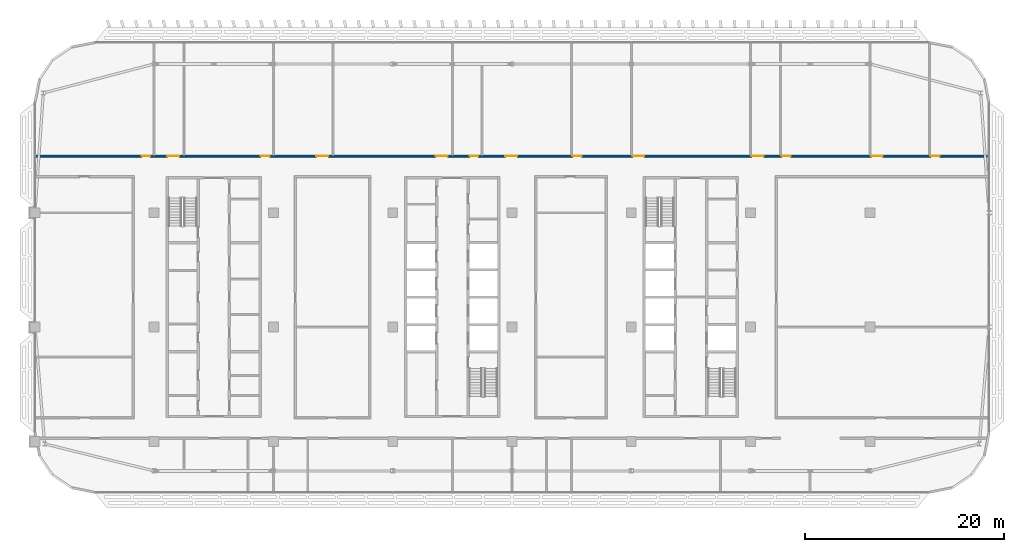
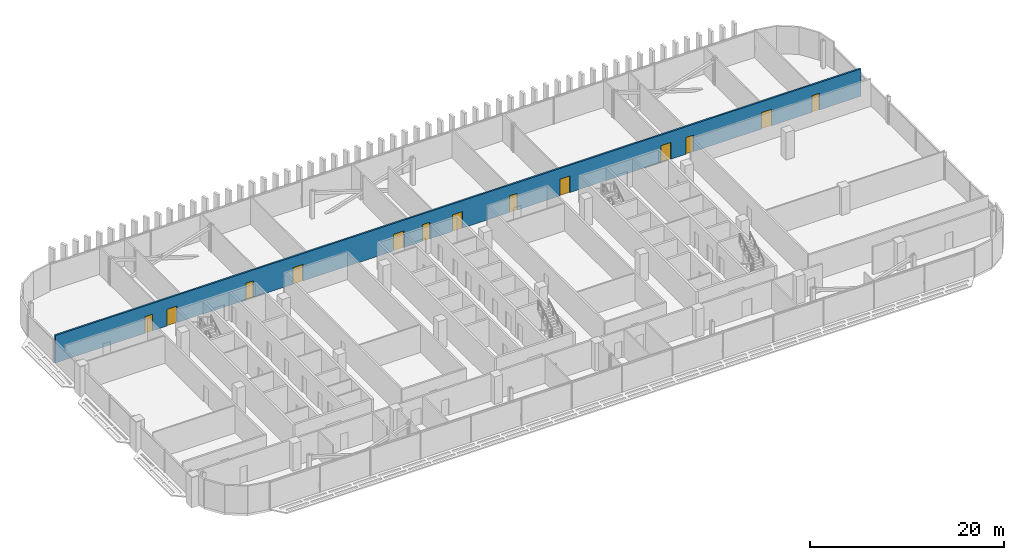
# One storey, part 20 of 32: 13 doors, 1 wall, 13 openings.
"""IFC4 building model written with IfcOpenShell, lengths in metres."""

import ifcopenshell
import ifcopenshell.guid

model = None  # the IFC model being written
_history = None  # IfcOwnerHistory: only IFC2X3 demands one
_inside = {}  # id of a spatial element -> (the spatial element, [elements in it])
_under = {}  # id of a project, library or spatial element -> (it, [spatial elements below it])
_declared = {}  # id of a project -> (the project, [libraries it declares])
_typed = {}  # id of a type object -> (the type object, [elements of that type])
_made_of = {}  # id of a material, layer set ... -> (it, [elements and type objects made of it])


def new_model(schema):
    """Start an empty IFC model of exactly this schema.

    Asked for "IFC4X3", IfcOpenShell would pick the latest addendum, in which some entities
    have other attributes; the version numbers below select the first issue.
    IFC2X3 requires an IfcOwnerHistory on every rooted entity: one is made here for all.
    """
    global model, _history
    if schema == "IFC4X3":
        model = ifcopenshell.file(schema_version=(4, 3, 0, 0))
    else:
        model = ifcopenshell.file(schema=schema)
    _inside.clear()
    _under.clear()
    _declared.clear()
    _typed.clear()
    _made_of.clear()
    _history = None
    if model.schema == "IFC2X3":
        org = make("IfcOrganization", Name="unknown")
        user = make(
            "IfcPersonAndOrganization",
            ThePerson=make("IfcPerson", FamilyName="unknown"),
            TheOrganization=org,
        )
        app = make(
            "IfcApplication",
            ApplicationDeveloper=org,
            Version="unknown",
            ApplicationFullName="unknown",
            ApplicationIdentifier="unknown",
        )
        _history = make(
            "IfcOwnerHistory",
            OwningUser=user,
            OwningApplication=app,
            ChangeAction="ADDED",
            CreationDate=0,
        )
    return model


def make(cls, **values):
    """One entity of the class cls with the attributes given. An attribute that is None is left unset."""
    return model.create_entity(
        cls, **{name: value for name, value in values.items() if value is not None}
    )


def rooted(cls, **values):
    """An entity with a GlobalId (a new one), such as an element, a storey or a relation."""
    return make(cls, GlobalId=ifcopenshell.guid.new(), OwnerHistory=_history, **values)


def si_unit(unit_type, name, prefix=None):
    """IfcSIUnit, for example si_unit("LENGTHUNIT", "METRE", prefix="MILLI")."""
    return make("IfcSIUnit", UnitType=unit_type, Prefix=prefix, Name=name)


def assignment(units):
    """IfcUnitAssignment: the units of a project."""
    return None if units is None else make("IfcUnitAssignment", Units=units)


def point(xyz):
    """IfcCartesianPoint."""
    return None if xyz is None else make("IfcCartesianPoint", Coordinates=xyz)


def direction(xyz):
    """IfcDirection."""
    return None if xyz is None else make("IfcDirection", DirectionRatios=xyz)


def frame(location, z_axis=None, x_axis=None):
    """IfcAxis2Placement3D, a coordinate frame: its origin and axes. An axis left out is left unset."""
    return make(
        "IfcAxis2Placement3D",
        Location=point(location),
        Axis=direction(z_axis),
        RefDirection=direction(x_axis),
    )


def frame_2d(location, x_axis=None):
    """IfcAxis2Placement2D, a coordinate frame in the plane: its origin and x axis."""
    return make(
        "IfcAxis2Placement2D", Location=point(location), RefDirection=direction(x_axis)
    )


def origin():
    """The frame at (0, 0, 0) with its axes left unset."""
    return frame((0.0, 0.0, 0.0))


def place(relative_to, where):
    """IfcLocalPlacement: puts the frame where relative to a parent placement (None: the world)."""
    return make(
        "IfcLocalPlacement", PlacementRelTo=relative_to, RelativePlacement=where
    )


def context(
    kind, dimensions, precision=None, world=None, true_north=None, identifier=None
):
    """IfcGeometricRepresentationContext, for example the 3D "Model" context."""
    return make(
        "IfcGeometricRepresentationContext",
        ContextIdentifier=identifier,
        ContextType=kind,
        CoordinateSpaceDimension=dimensions,
        Precision=precision,
        WorldCoordinateSystem=world,
        TrueNorth=true_north,
    )


def subcontext(parent, identifier, kind, view, scale=None):
    """IfcGeometricRepresentationSubContext, for example "Body" below "Model"."""
    return make(
        "IfcGeometricRepresentationSubContext",
        ContextIdentifier=identifier,
        ContextType=kind,
        ParentContext=parent,
        TargetScale=scale,
        TargetView=view,
    )


def project(units=None, contexts=None):
    """IfcProject with its units and contexts."""
    return rooted(
        "IfcProject",
        Name="project",
        RepresentationContexts=contexts,
        UnitsInContext=assignment(units),
    )


def spatial(cls, under=None, at=None, **own):
    """A site, building, storey or space (cls), placed at a placement, below another one or the project."""
    s = rooted(cls, ObjectPlacement=at, **own)
    if under is not None:
        _under.setdefault(under.id(), (under, []))[1].append(s)
    return s


def profile(cls, at=None, kind="AREA", **sizes):
    """A parametric profile (cls). Its sizes go by their IFC names, for example OverallWidth=200.0."""
    return make(cls, ProfileType=kind, Position=at, **sizes)


def rectangle(**sizes):
    """IfcRectangleProfileDef."""
    return profile("IfcRectangleProfileDef", **sizes)


def extrude(swept, where, along, depth):
    """IfcExtrudedAreaSolid: the profile swept, set in the frame where, extruded along a direction by depth."""
    return make(
        "IfcExtrudedAreaSolid",
        SweptArea=swept,
        Position=where,
        ExtrudedDirection=direction(along),
        Depth=depth,
    )


def shape(context_of_items, identifier, shape_type, items):
    """IfcShapeRepresentation: the items that make up one representation, for example the "Body"."""
    return make(
        "IfcShapeRepresentation",
        ContextOfItems=context_of_items,
        RepresentationIdentifier=identifier,
        RepresentationType=shape_type,
        Items=items,
    )


def material(Name=None, Category=None):
    """IfcMaterial."""
    return make("IfcMaterial", Name=Name, Category=Category)


def layer(
    of_material, thickness, ventilated=None, Name=None, Category=None, Priority=None
):
    """IfcMaterialLayer: one layer of a wall or slab, of a material (None: an air gap)."""
    return make(
        "IfcMaterialLayer",
        Material=of_material,
        LayerThickness=thickness,
        IsVentilated=ventilated,
        Name=Name,
        Category=Category,
        Priority=Priority,
    )


def layer_set(layers, Name=None):
    """IfcMaterialLayerSet."""
    return make("IfcMaterialLayerSet", MaterialLayers=layers, LayerSetName=Name)


def made_of(thing, what):
    """Note that an element or type object is made of a material, layer set ...; save() writes the relation."""
    if what is not None:
        _made_of.setdefault(what.id(), (what, []))[1].append(thing)
    return thing


def type_object(cls, material=None, **own):
    """A type object (cls), such as IfcWallType, which elements share."""
    return made_of(rooted(cls, **own), material)


def element(
    cls,
    number,
    at=None,
    inside=None,
    cuts=None,
    type_object=None,
    material=None,
    context=None,
    identifier="Body",
    shape_type=None,
    held_by="IfcProductDefinitionShape",
    body=None,
    shapes=None,
    **own,
):
    """One element of the class cls, such as IfcWall. Its Tag is "e" and its number.

    at: its placement. inside: the storey or other place that contains it. cuts: it is an
    opening in that element (IfcRelVoidsElement). A single representation is given by context,
    identifier, shape_type and body (its items); several are given by shapes. held_by: the class
    of the entity that holds the representations. save() writes the other relations.
    """
    e = rooted(cls, Tag="e%d" % number, ObjectPlacement=at, **own)
    if body is not None:
        shapes = [shape(context, identifier, shape_type, body)]
    if shapes is not None:
        e.Representation = make(held_by, Representations=shapes)
    if inside is not None:
        _inside.setdefault(inside.id(), (inside, []))[1].append(e)
    if cuts is not None:
        rooted(
            "IfcRelVoidsElement", RelatingBuildingElement=cuts, RelatedOpeningElement=e
        )
    if type_object is not None:
        _typed.setdefault(type_object.id(), (type_object, []))[1].append(e)
    return made_of(e, material)


def fill(opening, filler):
    """IfcRelFillsElement: the door or window that sits in an opening."""
    return rooted(
        "IfcRelFillsElement",
        RelatingOpeningElement=opening,
        RelatedBuildingElement=filler,
    )


def aggregate(whole, parts):
    """IfcRelAggregates: a whole, such as a stair, and the parts it consists of."""
    return rooted("IfcRelAggregates", RelatingObject=whole, RelatedObjects=parts)


def save(model, path):
    """Write the relations noted so far, then the file.

    IfcRelAggregates (storeys below a building ...), IfcRelContainedInSpatialStructure (elements
    in a storey), IfcRelDefinesByType, IfcRelAssociatesMaterial and IfcRelDeclares: one each for
    every whole, place, type object, material and project.
    """
    for whole, parts in _under.values():
        aggregate(whole, parts)
    for where, things in _inside.values():
        rooted(
            "IfcRelContainedInSpatialStructure",
            RelatedElements=things,
            RelatingStructure=where,
        )
    for kind, things in _typed.values():
        rooted("IfcRelDefinesByType", RelatedObjects=things, RelatingType=kind)
    for what, things in _made_of.values():
        rooted("IfcRelAssociatesMaterial", RelatedObjects=things, RelatingMaterial=what)
    for by, libraries in _declared.values():
        rooted("IfcRelDeclares", RelatingContext=by, RelatedDefinitions=libraries)
    model.write(path)


model = new_model("IFC4")

# Units and contexts
model_context = context("Model", 3, precision=1e-05, world=origin(), true_north=direction((0.0, 1.0)))
body_context = subcontext(model_context, "Body", "Model", "MODEL_VIEW")
ifc_project = project(units=[si_unit("LENGTHUNIT", "METRE"), si_unit("AREAUNIT", "SQUARE_METRE"), si_unit("VOLUMEUNIT", "CUBIC_METRE"), si_unit("PLANEANGLEUNIT", "RADIAN"), si_unit("MASSUNIT", "GRAM", prefix="KILO")], contexts=[model_context])

# Site, building, storey
site_placement = place(None, origin())
site = spatial("IfcSite", under=ifc_project, at=site_placement, CompositionType="ELEMENT")
building_placement = place(site_placement, origin())
building = spatial("IfcBuilding", under=site, at=building_placement, Name="Mahtab Terrace Research Tower", CompositionType="ELEMENT")
storey_placement = place(building_placement, frame((0.0, 0.0, 232.39990234375)))
storey = spatial("IfcBuildingStorey", under=building, at=storey_placement, Name="L56", CompositionType="ELEMENT", Elevation=232.39990234375)

# Wall, openings, doors
ifc_material_1 = material(Name="Gypsum board corridor wall on steel studs", Category="steel")
ifc_layer = layer(ifc_material_1, 0.199951171875)
ifc_layer_set = layer_set([ifc_layer], Name="WALL CORRIDOR 200")
wall_type = type_object("IfcWallType", Name="WALL CORRIDOR 200", PredefinedType="PARTITIONING", material=ifc_layer_set)
wall_placement = place(storey_placement, frame((-41.97509765625, 17.199951171875, 0.0), z_axis=(0.0, 0.0, 1.0), x_axis=(1.0, 0.0, 0.0)))
wall = element("IfcWall", 1, at=wall_placement, inside=storey, type_object=wall_type, Name="L56-W025", PredefinedType="PARTITIONING", context=body_context, shape_type="SweptSolid", body=[
    extrude(rectangle(XDim=95.9501953125, YDim=0.199951171875, at=frame_2d((47.97509765625, 0.0))), origin(), (0.0, 0.0, 1.0), 3.460205078125),
])
opening_1_placement = place(wall_placement, frame((10.699951171875, 0.0, 0.0)))
opening_1 = element("IfcOpeningElement", 2, at=opening_1_placement, cuts=wall, Name="Opening L56-122", PredefinedType="OPENING", context=body_context, shape_type="SweptSolid", body=[
    extrude(rectangle(XDim=0.89990234375, YDim=2.10009765625, at=frame_2d((0.449951171875, 1.050048828125))), frame((0.0, 0.10986328125, 0.0), z_axis=(0.0, -1.0, 0.0), x_axis=(1.0, 0.0, 0.0)), (0.0, 0.0, 1.0), 0.219970703125),
])
opening_2_placement = place(wall_placement, frame((13.300048828125, 0.0, 0.0)))
opening_2 = element("IfcOpeningElement", 3, at=opening_2_placement, cuts=wall, Name="Opening L56-123", PredefinedType="OPENING", context=body_context, shape_type="SweptSolid", body=[
    extrude(rectangle(XDim=1.199951171875, YDim=2.10009765625, at=frame_2d((0.60009765625, 1.050048828125))), frame((0.0, 0.10986328125, 0.0), z_axis=(0.0, -1.0, 0.0), x_axis=(1.0, 0.0, 0.0)), (0.0, 0.0, 1.0), 0.219970703125),
])
opening_3_placement = place(wall_placement, frame((22.699951171875, 0.0, 0.0)))
opening_3 = element("IfcOpeningElement", 4, at=opening_3_placement, cuts=wall, Name="Opening L56-124", PredefinedType="OPENING", context=body_context, shape_type="SweptSolid", body=[
    extrude(rectangle(XDim=0.89990234375, YDim=2.10009765625, at=frame_2d((0.449951171875, 1.050048828125))), frame((0.0, 0.10986328125, 0.0), z_axis=(0.0, -1.0, 0.0), x_axis=(1.0, 0.0, 0.0)), (0.0, 0.0, 1.0), 0.219970703125),
])
opening_4_placement = place(wall_placement, frame((28.300048828125, 0.0, 0.0)))
opening_4 = element("IfcOpeningElement", 5, at=opening_4_placement, cuts=wall, Name="Opening L56-125", PredefinedType="OPENING", context=body_context, shape_type="SweptSolid", body=[
    extrude(rectangle(XDim=1.199951171875, YDim=2.10009765625, at=frame_2d((0.60009765625, 1.050048828125))), frame((0.0, 0.10986328125, 0.0), z_axis=(0.0, -1.0, 0.0), x_axis=(1.0, 0.0, 0.0)), (0.0, 0.0, 1.0), 0.219970703125),
])
opening_5_placement = place(wall_placement, frame((40.300048828125, 0.0, 0.0)))
opening_5 = element("IfcOpeningElement", 6, at=opening_5_placement, cuts=wall, Name="Opening L56-126", PredefinedType="OPENING", context=body_context, shape_type="SweptSolid", body=[
    extrude(rectangle(XDim=1.199951171875, YDim=2.10009765625, at=frame_2d((0.60009765625, 1.050048828125))), frame((0.0, 0.10986328125, 0.0), z_axis=(0.0, -1.0, 0.0), x_axis=(1.0, 0.0, 0.0)), (0.0, 0.0, 1.0), 0.219970703125),
])
opening_6_placement = place(wall_placement, frame((43.699951171875, 0.0, 0.0)))
opening_6 = element("IfcOpeningElement", 7, at=opening_6_placement, cuts=wall, Name="Opening L56-127", PredefinedType="OPENING", context=body_context, shape_type="SweptSolid", body=[
    extrude(rectangle(XDim=0.89990234375, YDim=2.10009765625, at=frame_2d((0.449951171875, 1.050048828125))), frame((0.0, 0.10986328125, 0.0), z_axis=(0.0, -1.0, 0.0), x_axis=(1.0, 0.0, 0.0)), (0.0, 0.0, 1.0), 0.219970703125),
])
opening_7_placement = place(wall_placement, frame((47.300048828125, 0.0, 0.0)))
opening_7 = element("IfcOpeningElement", 8, at=opening_7_placement, cuts=wall, Name="Opening L56-128", PredefinedType="OPENING", context=body_context, shape_type="SweptSolid", body=[
    extrude(rectangle(XDim=1.199951171875, YDim=2.10009765625, at=frame_2d((0.60009765625, 1.050048828125))), frame((0.0, 0.10986328125, 0.0), z_axis=(0.0, -1.0, 0.0), x_axis=(1.0, 0.0, 0.0)), (0.0, 0.0, 1.0), 0.219970703125),
])
opening_8_placement = place(wall_placement, frame((54.10009765625, 0.0, 0.0)))
opening_8 = element("IfcOpeningElement", 9, at=opening_8_placement, cuts=wall, Name="Opening L56-129", PredefinedType="OPENING", context=body_context, shape_type="SweptSolid", body=[
    extrude(rectangle(XDim=0.89990234375, YDim=2.10009765625, at=frame_2d((0.449951171875, 1.050048828125))), frame((0.0, 0.10986328125, 0.0), z_axis=(0.0, -1.0, 0.0), x_axis=(1.0, 0.0, 0.0)), (0.0, 0.0, 1.0), 0.219970703125),
])
opening_9_placement = place(wall_placement, frame((60.10009765625, 0.0, 0.0)))
opening_9 = element("IfcOpeningElement", 10, at=opening_9_placement, cuts=wall, Name="Opening L56-130", PredefinedType="OPENING", context=body_context, shape_type="SweptSolid", body=[
    extrude(rectangle(XDim=1.199951171875, YDim=2.10009765625, at=frame_2d((0.60009765625, 1.050048828125))), frame((0.0, 0.10986328125, 0.0), z_axis=(0.0, -1.0, 0.0), x_axis=(1.0, 0.0, 0.0)), (0.0, 0.0, 1.0), 0.219970703125),
])
opening_10_placement = place(wall_placement, frame((72.10009765625, 0.0, 0.0)))
opening_10 = element("IfcOpeningElement", 11, at=opening_10_placement, cuts=wall, Name="Opening L56-131", PredefinedType="OPENING", context=body_context, shape_type="SweptSolid", body=[
    extrude(rectangle(XDim=1.199951171875, YDim=2.10009765625, at=frame_2d((0.60009765625, 1.050048828125))), frame((0.0, 0.10986328125, 0.0), z_axis=(0.0, -1.0, 0.0), x_axis=(1.0, 0.0, 0.0)), (0.0, 0.0, 1.0), 0.219970703125),
])
opening_11_placement = place(wall_placement, frame((75.10009765625, 0.0, 0.0)))
opening_11 = element("IfcOpeningElement", 12, at=opening_11_placement, cuts=wall, Name="Opening L56-132", PredefinedType="OPENING", context=body_context, shape_type="SweptSolid", body=[
    extrude(rectangle(XDim=0.89990234375, YDim=2.10009765625, at=frame_2d((0.449951171875, 1.050048828125))), frame((0.0, 0.10986328125, 0.0), z_axis=(0.0, -1.0, 0.0), x_axis=(1.0, 0.0, 0.0)), (0.0, 0.0, 1.0), 0.219970703125),
])
opening_12_placement = place(wall_placement, frame((84.10009765625, 0.0, 0.0)))
opening_12 = element("IfcOpeningElement", 13, at=opening_12_placement, cuts=wall, Name="Opening L56-133", PredefinedType="OPENING", context=body_context, shape_type="SweptSolid", body=[
    extrude(rectangle(XDim=1.199951171875, YDim=2.10009765625, at=frame_2d((0.60009765625, 1.050048828125))), frame((0.0, 0.10986328125, 0.0), z_axis=(0.0, -1.0, 0.0), x_axis=(1.0, 0.0, 0.0)), (0.0, 0.0, 1.0), 0.219970703125),
])
opening_13_placement = place(wall_placement, frame((90.10009765625, 0.0, 0.0)))
opening_13 = element("IfcOpeningElement", 14, at=opening_13_placement, cuts=wall, Name="Opening L56-134", PredefinedType="OPENING", context=body_context, shape_type="SweptSolid", body=[
    extrude(rectangle(XDim=0.89990234375, YDim=2.10009765625, at=frame_2d((0.449951171875, 1.050048828125))), frame((0.0, 0.10986328125, 0.0), z_axis=(0.0, -1.0, 0.0), x_axis=(1.0, 0.0, 0.0)), (0.0, 0.0, 1.0), 0.219970703125),
])
ifc_material_2 = material(Name="Timber door leaf in steel frame", Category="steel")
door_type_1 = type_object("IfcDoorType", Name="DOOR 0900X2100 FD30S", OperationType="SINGLE_SWING_LEFT", PredefinedType="DOOR", material=ifc_material_2)
door_1_placement = place(opening_1_placement, origin())
door_1 = element("IfcDoor", 15, at=door_1_placement, inside=storey, type_object=door_type_1, Name="Door L56-122", OperationType="SINGLE_SWING_LEFT", OverallHeight=2.10009765625, OverallWidth=0.89990234375, PredefinedType="DOOR", context=body_context, shape_type="SweptSolid", body=[
    extrude(rectangle(XDim=0.89990234375, YDim=2.10009765625, at=frame_2d((0.449951171875, 1.050048828125))), frame((0.0, 0.02490234375, 0.0), z_axis=(0.0, -1.0, 0.0), x_axis=(1.0, 0.0, 0.0)), (0.0, 0.0, 1.0), 0.050048828125),
])
fill(opening_1, door_1)
door_2_placement = place(opening_3_placement, origin())
door_2 = element("IfcDoor", 16, at=door_2_placement, inside=storey, type_object=door_type_1, Name="Door L56-124", OperationType="SINGLE_SWING_LEFT", OverallHeight=2.10009765625, OverallWidth=0.89990234375, PredefinedType="DOOR", context=body_context, shape_type="SweptSolid", body=[
    extrude(rectangle(XDim=0.89990234375, YDim=2.10009765625, at=frame_2d((0.449951171875, 1.050048828125))), frame((0.0, 0.02490234375, 0.0), z_axis=(0.0, -1.0, 0.0), x_axis=(1.0, 0.0, 0.0)), (0.0, 0.0, 1.0), 0.050048828125),
])
fill(opening_3, door_2)
door_3_placement = place(opening_6_placement, origin())
door_3 = element("IfcDoor", 17, at=door_3_placement, inside=storey, type_object=door_type_1, Name="Door L56-127", OperationType="SINGLE_SWING_LEFT", OverallHeight=2.10009765625, OverallWidth=0.89990234375, PredefinedType="DOOR", context=body_context, shape_type="SweptSolid", body=[
    extrude(rectangle(XDim=0.89990234375, YDim=2.10009765625, at=frame_2d((0.449951171875, 1.050048828125))), frame((0.0, 0.02490234375, 0.0), z_axis=(0.0, -1.0, 0.0), x_axis=(1.0, 0.0, 0.0)), (0.0, 0.0, 1.0), 0.050048828125),
])
fill(opening_6, door_3)
door_4_placement = place(opening_8_placement, origin())
door_4 = element("IfcDoor", 18, at=door_4_placement, inside=storey, type_object=door_type_1, Name="Door L56-129", OperationType="SINGLE_SWING_RIGHT", OverallHeight=2.10009765625, OverallWidth=0.89990234375, PredefinedType="DOOR", context=body_context, shape_type="SweptSolid", body=[
    extrude(rectangle(XDim=0.89990234375, YDim=2.10009765625, at=frame_2d((0.449951171875, 1.050048828125))), frame((0.0, 0.02490234375, 0.0), z_axis=(0.0, -1.0, 0.0), x_axis=(1.0, 0.0, 0.0)), (0.0, 0.0, 1.0), 0.050048828125),
])
fill(opening_8, door_4)
door_5_placement = place(opening_11_placement, origin())
door_5 = element("IfcDoor", 19, at=door_5_placement, inside=storey, type_object=door_type_1, Name="Door L56-132", OperationType="SINGLE_SWING_RIGHT", OverallHeight=2.10009765625, OverallWidth=0.89990234375, PredefinedType="DOOR", context=body_context, shape_type="SweptSolid", body=[
    extrude(rectangle(XDim=0.89990234375, YDim=2.10009765625, at=frame_2d((0.449951171875, 1.050048828125))), frame((0.0, 0.02490234375, 0.0), z_axis=(0.0, -1.0, 0.0), x_axis=(1.0, 0.0, 0.0)), (0.0, 0.0, 1.0), 0.050048828125),
])
fill(opening_11, door_5)
door_6_placement = place(opening_13_placement, origin())
door_6 = element("IfcDoor", 20, at=door_6_placement, inside=storey, type_object=door_type_1, Name="Door L56-134", OperationType="SINGLE_SWING_RIGHT", OverallHeight=2.10009765625, OverallWidth=0.89990234375, PredefinedType="DOOR", context=body_context, shape_type="SweptSolid", body=[
    extrude(rectangle(XDim=0.89990234375, YDim=2.10009765625, at=frame_2d((0.449951171875, 1.050048828125))), frame((0.0, 0.02490234375, 0.0), z_axis=(0.0, -1.0, 0.0), x_axis=(1.0, 0.0, 0.0)), (0.0, 0.0, 1.0), 0.050048828125),
])
fill(opening_13, door_6)
door_type_2 = type_object("IfcDoorType", Name="DOOR 1200X2100 FD30S", OperationType="SINGLE_SWING_LEFT", PredefinedType="DOOR", material=ifc_material_2)
door_7_placement = place(opening_2_placement, origin())
door_7 = element("IfcDoor", 21, at=door_7_placement, inside=storey, type_object=door_type_2, Name="Door L56-123", OperationType="SINGLE_SWING_LEFT", OverallHeight=2.10009765625, OverallWidth=1.199951171875, PredefinedType="DOOR", context=body_context, shape_type="SweptSolid", body=[
    extrude(rectangle(XDim=1.199951171875, YDim=2.10009765625, at=frame_2d((0.60009765625, 1.050048828125))), frame((0.0, 0.02490234375, 0.0), z_axis=(0.0, -1.0, 0.0), x_axis=(1.0, 0.0, 0.0)), (0.0, 0.0, 1.0), 0.050048828125),
])
fill(opening_2, door_7)
door_8_placement = place(opening_4_placement, origin())
door_8 = element("IfcDoor", 22, at=door_8_placement, inside=storey, type_object=door_type_2, Name="Door L56-125", OperationType="SINGLE_SWING_LEFT", OverallHeight=2.10009765625, OverallWidth=1.199951171875, PredefinedType="DOOR", context=body_context, shape_type="SweptSolid", body=[
    extrude(rectangle(XDim=1.199951171875, YDim=2.10009765625, at=frame_2d((0.60009765625, 1.050048828125))), frame((0.0, 0.02490234375, 0.0), z_axis=(0.0, -1.0, 0.0), x_axis=(1.0, 0.0, 0.0)), (0.0, 0.0, 1.0), 0.050048828125),
])
fill(opening_4, door_8)
door_9_placement = place(opening_5_placement, origin())
door_9 = element("IfcDoor", 23, at=door_9_placement, inside=storey, type_object=door_type_2, Name="Door L56-126", OperationType="SINGLE_SWING_LEFT", OverallHeight=2.10009765625, OverallWidth=1.199951171875, PredefinedType="DOOR", context=body_context, shape_type="SweptSolid", body=[
    extrude(rectangle(XDim=1.199951171875, YDim=2.10009765625, at=frame_2d((0.60009765625, 1.050048828125))), frame((0.0, 0.02490234375, 0.0), z_axis=(0.0, -1.0, 0.0), x_axis=(1.0, 0.0, 0.0)), (0.0, 0.0, 1.0), 0.050048828125),
])
fill(opening_5, door_9)
door_10_placement = place(opening_7_placement, origin())
door_10 = element("IfcDoor", 24, at=door_10_placement, inside=storey, type_object=door_type_2, Name="Door L56-128", OperationType="SINGLE_SWING_RIGHT", OverallHeight=2.10009765625, OverallWidth=1.199951171875, PredefinedType="DOOR", context=body_context, shape_type="SweptSolid", body=[
    extrude(rectangle(XDim=1.199951171875, YDim=2.10009765625, at=frame_2d((0.60009765625, 1.050048828125))), frame((0.0, 0.02490234375, 0.0), z_axis=(0.0, -1.0, 0.0), x_axis=(1.0, 0.0, 0.0)), (0.0, 0.0, 1.0), 0.050048828125),
])
fill(opening_7, door_10)
door_11_placement = place(opening_9_placement, origin())
door_11 = element("IfcDoor", 25, at=door_11_placement, inside=storey, type_object=door_type_2, Name="Door L56-130", OperationType="SINGLE_SWING_RIGHT", OverallHeight=2.10009765625, OverallWidth=1.199951171875, PredefinedType="DOOR", context=body_context, shape_type="SweptSolid", body=[
    extrude(rectangle(XDim=1.199951171875, YDim=2.10009765625, at=frame_2d((0.60009765625, 1.050048828125))), frame((0.0, 0.02490234375, 0.0), z_axis=(0.0, -1.0, 0.0), x_axis=(1.0, 0.0, 0.0)), (0.0, 0.0, 1.0), 0.050048828125),
])
fill(opening_9, door_11)
door_12_placement = place(opening_10_placement, origin())
door_12 = element("IfcDoor", 26, at=door_12_placement, inside=storey, type_object=door_type_2, Name="Door L56-131", OperationType="SINGLE_SWING_RIGHT", OverallHeight=2.10009765625, OverallWidth=1.199951171875, PredefinedType="DOOR", context=body_context, shape_type="SweptSolid", body=[
    extrude(rectangle(XDim=1.199951171875, YDim=2.10009765625, at=frame_2d((0.60009765625, 1.050048828125))), frame((0.0, 0.02490234375, 0.0), z_axis=(0.0, -1.0, 0.0), x_axis=(1.0, 0.0, 0.0)), (0.0, 0.0, 1.0), 0.050048828125),
])
fill(opening_10, door_12)
door_13_placement = place(opening_12_placement, origin())
door_13 = element("IfcDoor", 27, at=door_13_placement, inside=storey, type_object=door_type_2, Name="Door L56-133", OperationType="SINGLE_SWING_RIGHT", OverallHeight=2.10009765625, OverallWidth=1.199951171875, PredefinedType="DOOR", context=body_context, shape_type="SweptSolid", body=[
    extrude(rectangle(XDim=1.199951171875, YDim=2.10009765625, at=frame_2d((0.60009765625, 1.050048828125))), frame((0.0, 0.02490234375, 0.0), z_axis=(0.0, -1.0, 0.0), x_axis=(1.0, 0.0, 0.0)), (0.0, 0.0, 1.0), 0.050048828125),
])
fill(opening_12, door_13)

save(model, "model.ifc")
